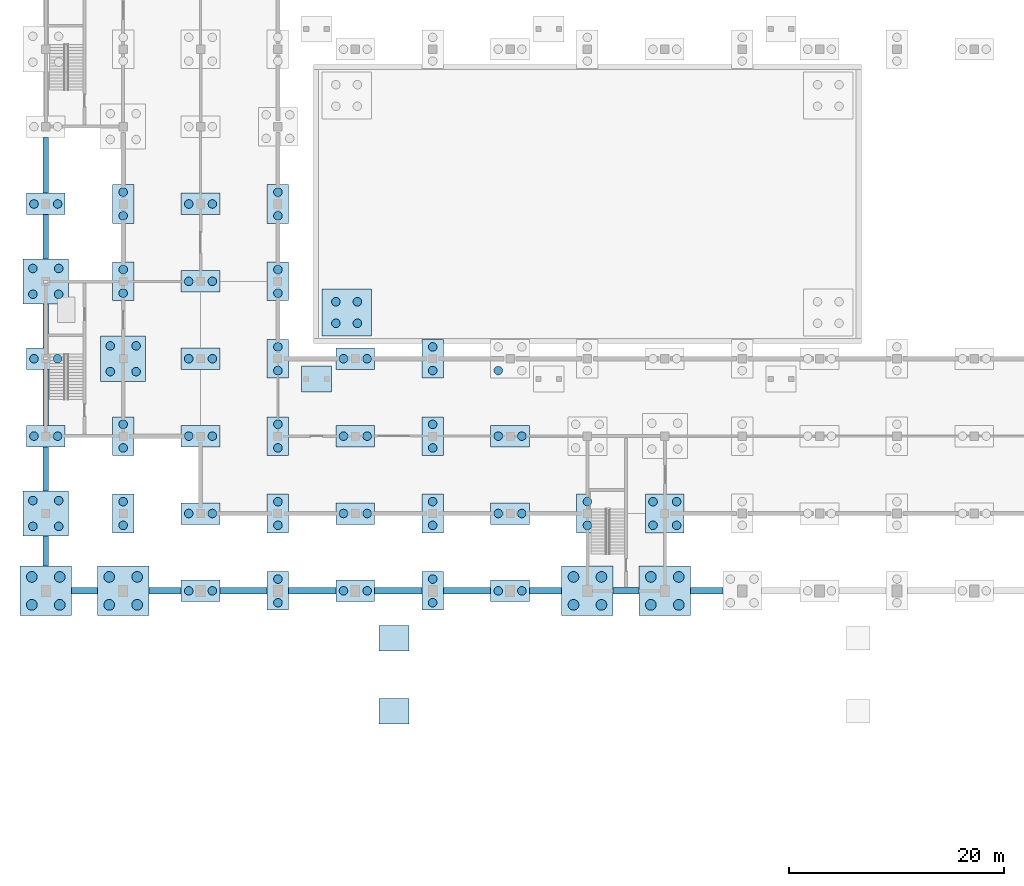
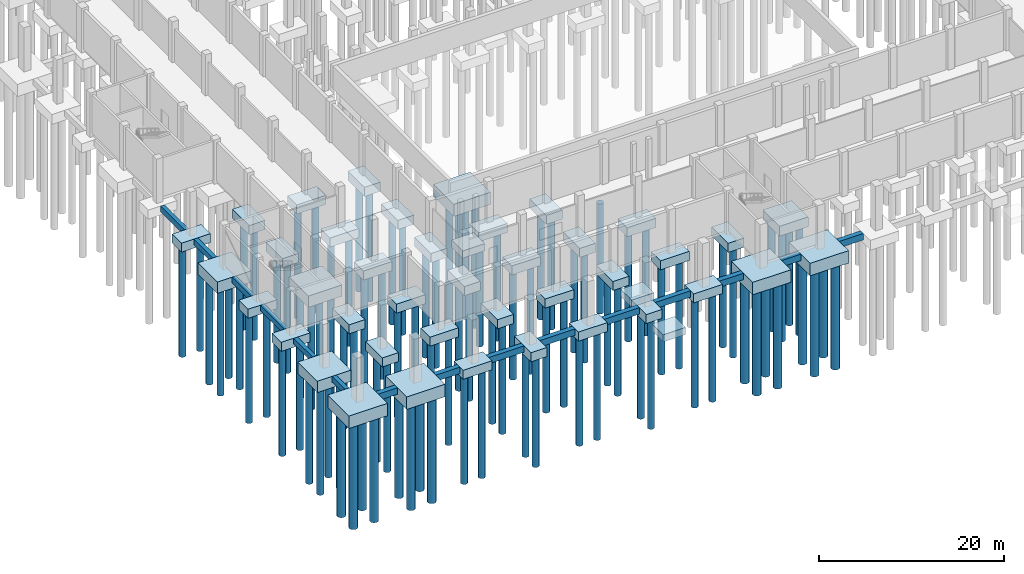
# One storey, part 1 of 35: 99 piles, 58 footings.
"""IFC4 building model written with IfcOpenShell, lengths in metres."""

from ifc_helpers import new_model, si_unit, direction, frame, origin, origin_2d, place, context, subcontext, project, spatial, polyline, rectangle, circle, outline, extrude, material, material_profile, profile_set, type_object, element, save


model = new_model("IFC4")

# Units and contexts
model_context = context("Model", 3, precision=1e-05, world=origin(), true_north=direction((0.0, 1.0)))
body_context = subcontext(model_context, "Body", "Model", "MODEL_VIEW")
ifc_project = project(units=[si_unit("LENGTHUNIT", "METRE"), si_unit("AREAUNIT", "SQUARE_METRE"), si_unit("VOLUMEUNIT", "CUBIC_METRE"), si_unit("PLANEANGLEUNIT", "RADIAN"), si_unit("MASSUNIT", "GRAM", prefix="KILO")], contexts=[model_context])

# Site, building, storey
site_placement = place(None, origin())
site = spatial("IfcSite", under=ifc_project, at=site_placement, CompositionType="ELEMENT")
building_placement = place(site_placement, origin())
building = spatial("IfcBuilding", under=site, at=building_placement, Name="Vesperath Aquatics Centre", CompositionType="ELEMENT")
storey_placement = place(building_placement, frame((0.0, 0.0, -5.39990234375)))
storey = spatial("IfcBuildingStorey", under=building, at=storey_placement, Name="B1", CompositionType="ELEMENT", Elevation=-5.39990234375)

# Footings
ifc_material_1 = material(Name="Concrete C40", Category="concrete")
footing_type_1 = type_object("IfcFootingType", Name="FT-GB02", PredefinedType="FOOTING_BEAM", material=ifc_material_1)
footing_1_placement = place(storey_placement, frame((0.0, 0.0, -1.2001953125)))
element("IfcFooting", 1, at=footing_1_placement, inside=storey, type_object=footing_type_1, Name="Foundation Ground Beam GB02 1 C-D", PredefinedType="FOOTING_BEAM", context=body_context, shape_type="SweptSolid", body=[
    extrude(outline(polyline([(-0.25, 16.699951171875), (0.25, 16.699951171875), (0.25, 19.5), (-0.25, 19.5), (-0.25, 16.699951171875)])), origin(), (0.0, 0.0, 1.0), 0.75),
])
footing_2_placement = place(storey_placement, frame((0.0, 0.0, -1.2001953125)))
element("IfcFooting", 2, at=footing_2_placement, inside=storey, type_object=footing_type_1, Name="Foundation Ground Beam GB02 1 D-E", PredefinedType="FOOTING_BEAM", context=body_context, shape_type="SweptSolid", body=[
    extrude(outline(polyline([(-0.25, 23.699951171875), (0.25, 23.699951171875), (0.25, 27.800048828125), (-0.25, 27.800048828125), (-0.25, 23.699951171875)])), origin(), (0.0, 0.0, 1.0), 0.75),
])
footing_3_placement = place(storey_placement, frame((0.0, 0.0, -1.2001953125)))
element("IfcFooting", 3, at=footing_3_placement, inside=storey, type_object=footing_type_1, Name="Foundation Ground Beam GB02 1 E-F", PredefinedType="FOOTING_BEAM", context=body_context, shape_type="SweptSolid", body=[
    extrude(outline(polyline([(-0.25, 29.800048828125), (0.25, 29.800048828125), (0.25, 35.0), (-0.25, 35.0), (-0.25, 29.800048828125)])), origin(), (0.0, 0.0, 1.0), 0.75),
])
footing_4_placement = place(storey_placement, frame((0.0, 0.0, -1.2001953125)))
element("IfcFooting", 4, at=footing_4_placement, inside=storey, type_object=footing_type_1, Name="Foundation Ground Beam GB02 1 F-G", PredefinedType="FOOTING_BEAM", context=body_context, shape_type="SweptSolid", body=[
    extrude(outline(polyline([(-0.25, 37.0), (0.25, 37.0), (0.25, 41.10009765625), (-0.25, 41.10009765625), (-0.25, 37.0)])), origin(), (0.0, 0.0, 1.0), 0.75),
])
footing_5_placement = place(storey_placement, frame((0.0, 0.0, -1.2001953125)))
element("IfcFooting", 5, at=footing_5_placement, inside=storey, type_object=footing_type_1, Name="Foundation Ground Beam GB02 1 G-H", PredefinedType="FOOTING_BEAM", context=body_context, shape_type="SweptSolid", body=[
    extrude(outline(polyline([(-0.25, 45.300048828125), (0.25, 45.300048828125), (0.25, 49.39990234375), (-0.25, 49.39990234375), (-0.25, 45.300048828125)])), origin(), (0.0, 0.0, 1.0), 0.75),
])
footing_6_placement = place(storey_placement, frame((0.0, 0.0, -1.2001953125)))
element("IfcFooting", 6, at=footing_6_placement, inside=storey, type_object=footing_type_1, Name="Foundation Ground Beam GB02 1 H-J", PredefinedType="FOOTING_BEAM", context=body_context, shape_type="SweptSolid", body=[
    extrude(outline(polyline([(-0.25, 51.39990234375), (0.25, 51.39990234375), (0.25, 56.60009765625), (-0.25, 56.60009765625), (-0.25, 51.39990234375)])), origin(), (0.0, 0.0, 1.0), 0.75),
])
footing_type_2 = type_object("IfcFootingType", Name="FT-GB03", PredefinedType="FOOTING_BEAM", material=ifc_material_1)
footing_7_placement = place(storey_placement, frame((0.0, 0.0, -1.300048828125)))
element("IfcFooting", 7, at=footing_7_placement, inside=storey, type_object=footing_type_2, Name="Foundation Ground Beam GB03 C 1-2", PredefinedType="FOOTING_BEAM", context=body_context, shape_type="SweptSolid", body=[
    extrude(outline(polyline([(2.39990234375, 14.10009765625), (4.800048828125, 14.10009765625), (4.800048828125, 14.699951171875), (2.39990234375, 14.699951171875), (2.39990234375, 14.10009765625)])), origin(), (0.0, 0.0, 1.0), 0.849853515625),
])
footing_8_placement = place(storey_placement, frame((0.0, 0.0, -1.300048828125)))
element("IfcFooting", 8, at=footing_8_placement, inside=storey, type_object=footing_type_2, Name="Foundation Ground Beam GB03 C 2-3", PredefinedType="FOOTING_BEAM", context=body_context, shape_type="SweptSolid", body=[
    extrude(outline(polyline([(9.60009765625, 14.10009765625), (12.60009765625, 14.10009765625), (12.60009765625, 14.699951171875), (9.60009765625, 14.699951171875), (9.60009765625, 14.10009765625)])), origin(), (0.0, 0.0, 1.0), 0.849853515625),
])
footing_9_placement = place(storey_placement, frame((0.0, 0.0, -1.300048828125)))
element("IfcFooting", 9, at=footing_9_placement, inside=storey, type_object=footing_type_2, Name="Foundation Ground Beam GB03 C 3-4", PredefinedType="FOOTING_BEAM", context=body_context, shape_type="SweptSolid", body=[
    extrude(outline(polyline([(16.199951171875, 14.10009765625), (20.60009765625, 14.10009765625), (20.60009765625, 14.699951171875), (16.199951171875, 14.699951171875), (16.199951171875, 14.10009765625)])), origin(), (0.0, 0.0, 1.0), 0.849853515625),
])
footing_10_placement = place(storey_placement, frame((0.0, 0.0, -1.300048828125)))
element("IfcFooting", 10, at=footing_10_placement, inside=storey, type_object=footing_type_2, Name="Foundation Ground Beam GB03 C 4-5", PredefinedType="FOOTING_BEAM", context=body_context, shape_type="SweptSolid", body=[
    extrude(outline(polyline([(22.60009765625, 14.10009765625), (27.0, 14.10009765625), (27.0, 14.699951171875), (22.60009765625, 14.699951171875), (22.60009765625, 14.10009765625)])), origin(), (0.0, 0.0, 1.0), 0.849853515625),
])
footing_11_placement = place(storey_placement, frame((0.0, 0.0, -1.300048828125)))
element("IfcFooting", 11, at=footing_11_placement, inside=storey, type_object=footing_type_2, Name="Foundation Ground Beam GB03 C 5-6", PredefinedType="FOOTING_BEAM", context=body_context, shape_type="SweptSolid", body=[
    extrude(outline(polyline([(30.60009765625, 14.10009765625), (35.0, 14.10009765625), (35.0, 14.699951171875), (30.60009765625, 14.699951171875), (30.60009765625, 14.10009765625)])), origin(), (0.0, 0.0, 1.0), 0.849853515625),
])
footing_12_placement = place(storey_placement, frame((0.0, 0.0, -1.300048828125)))
element("IfcFooting", 12, at=footing_12_placement, inside=storey, type_object=footing_type_2, Name="Foundation Ground Beam GB03 C 6-7", PredefinedType="FOOTING_BEAM", context=body_context, shape_type="SweptSolid", body=[
    extrude(outline(polyline([(37.0, 14.10009765625), (41.39990234375, 14.10009765625), (41.39990234375, 14.699951171875), (37.0, 14.699951171875), (37.0, 14.10009765625)])), origin(), (0.0, 0.0, 1.0), 0.849853515625),
])
footing_13_placement = place(storey_placement, frame((0.0, 0.0, -1.300048828125)))
element("IfcFooting", 13, at=footing_13_placement, inside=storey, type_object=footing_type_2, Name="Foundation Ground Beam GB03 C 7-8", PredefinedType="FOOTING_BEAM", context=body_context, shape_type="SweptSolid", body=[
    extrude(outline(polyline([(45.0, 14.10009765625), (48.0, 14.10009765625), (48.0, 14.699951171875), (45.0, 14.699951171875), (45.0, 14.10009765625)])), origin(), (0.0, 0.0, 1.0), 0.849853515625),
])
footing_14_placement = place(storey_placement, frame((0.0, 0.0, -1.300048828125)))
element("IfcFooting", 14, at=footing_14_placement, inside=storey, type_object=footing_type_2, Name="Foundation Ground Beam GB03 C 8-9", PredefinedType="FOOTING_BEAM", context=body_context, shape_type="SweptSolid", body=[
    extrude(outline(polyline([(52.800048828125, 14.10009765625), (55.199951171875, 14.10009765625), (55.199951171875, 14.699951171875), (52.800048828125, 14.699951171875), (52.800048828125, 14.10009765625)])), origin(), (0.0, 0.0, 1.0), 0.849853515625),
])
footing_15_placement = place(storey_placement, frame((0.0, 0.0, -1.300048828125)))
element("IfcFooting", 15, at=footing_15_placement, inside=storey, type_object=footing_type_2, Name="Foundation Ground Beam GB03 C 9-10", PredefinedType="FOOTING_BEAM", context=body_context, shape_type="SweptSolid", body=[
    extrude(outline(polyline([(60.0, 14.10009765625), (63.0, 14.10009765625), (63.0, 14.699951171875), (60.0, 14.699951171875), (60.0, 14.10009765625)])), origin(), (0.0, 0.0, 1.0), 0.849853515625),
])
footing_type_3 = type_object("IfcFootingType", Name="FT-PC01", PredefinedType="PILE_CAP", material=ifc_material_1)
for number, where, z_axis, x_axis, name in (
    (16, (0.0, 28.800048828125, -1.64990234375), (0.0, 0.0, 1.0), (1.0, 0.0, 0.0), "Pile Cap PC01 at 1/E"),
    (17, (0.0, 36.0, -1.64990234375), (0.0, 0.0, 1.0), (1.0, 0.0, 0.0), "Pile Cap PC01 at 1/F"),
    (18, (0.0, 50.39990234375, -1.64990234375), (0.0, 0.0, 1.0), (1.0, 0.0, 0.0), "Pile Cap PC01 at 1/H"),
    (19, (14.39990234375, 14.39990234375, -1.64990234375), (0.0, 0.0, 1.0), (1.0, 0.0, 0.0), "Pile Cap PC01 at 3/C"),
    (20, (14.39990234375, 21.60009765625, -1.64990234375), (0.0, 0.0, 1.0), (1.0, 0.0, 0.0), "Pile Cap PC01 at 3/D"),
    (21, (14.39990234375, 28.800048828125, -1.64990234375), (0.0, 0.0, 1.0), (1.0, 0.0, 0.0), "Pile Cap PC01 at 3/E"),
    (22, (14.39990234375, 36.0, -1.64990234375), (0.0, 0.0, 1.0), (1.0, 0.0, 0.0), "Pile Cap PC01 at 3/F"),
    (23, (14.39990234375, 43.199951171875, -1.64990234375), (0.0, 0.0, 1.0), (1.0, 0.0, 0.0), "Pile Cap PC01 at 3/G"),
    (24, (14.39990234375, 50.39990234375, -1.64990234375), (0.0, 0.0, 1.0), (1.0, 0.0, 0.0), "Pile Cap PC01 at 3/H"),
    (25, (28.800048828125, 14.39990234375, -1.64990234375), (0.0, 0.0, 1.0), (1.0, 0.0, 0.0), "Pile Cap PC01 at 5/C"),
    (26, (28.800048828125, 21.60009765625, -1.64990234375), (0.0, 0.0, 1.0), (1.0, 0.0, 0.0), "Pile Cap PC01 at 5/D"),
    (27, (28.800048828125, 28.800048828125, -1.64990234375), (0.0, 0.0, 1.0), (1.0, 0.0, 0.0), "Pile Cap PC01 at 5/E"),
    (28, (28.800048828125, 36.0, -1.64990234375), (0.0, 0.0, 1.0), (1.0, 0.0, 0.0), "Pile Cap PC01 at 5/F"),
    (29, (43.199951171875, 14.39990234375, -1.64990234375), (0.0, 0.0, 1.0), (1.0, 0.0, 0.0), "Pile Cap PC01 at 7/C"),
    (30, (43.199951171875, 21.60009765625, -1.64990234375), (0.0, 0.0, 1.0), (1.0, 0.0, 0.0), "Pile Cap PC01 at 7/D"),
    (31, (43.199951171875, 28.800048828125, -1.64990234375), (0.0, 0.0, 1.0), (1.0, 0.0, 0.0), "Pile Cap PC01 at 7/E"),
):
    element("IfcFooting", number, at=place(storey_placement, frame(where, z_axis=z_axis, x_axis=x_axis)), inside=storey, type_object=footing_type_3, Name=name, PredefinedType="PILE_CAP", context=body_context, shape_type="SweptSolid", body=[
        extrude(rectangle(XDim=3.60009765625, YDim=2.0, at=origin_2d()), origin(), (0.0, 0.0, 1.0), 1.199951171875),
    ])
footing_type_4 = type_object("IfcFootingType", Name="FT-PC02", PredefinedType="PILE_CAP", material=ifc_material_1)
for number, where, z_axis, x_axis, name in (
    (32, (7.199951171875, 21.60009765625, -1.64990234375), (0.0, 0.0, 1.0), (1.0, 0.0, 0.0), "Pile Cap PC02 at 2/D"),
    (33, (7.199951171875, 28.800048828125, -1.64990234375), (0.0, 0.0, 1.0), (1.0, 0.0, 0.0), "Pile Cap PC02 at 2/E"),
    (34, (7.199951171875, 43.199951171875, -1.64990234375), (0.0, 0.0, 1.0), (1.0, 0.0, 0.0), "Pile Cap PC02 at 2/G"),
    (35, (7.199951171875, 50.39990234375, -1.64990234375), (0.0, 0.0, 1.0), (1.0, 0.0, 0.0), "Pile Cap PC02 at 2/H"),
    (36, (21.60009765625, 14.39990234375, -1.64990234375), (0.0, 0.0, 1.0), (1.0, 0.0, 0.0), "Pile Cap PC02 at 4/C"),
    (37, (21.60009765625, 21.60009765625, -1.64990234375), (0.0, 0.0, 1.0), (1.0, 0.0, 0.0), "Pile Cap PC02 at 4/D"),
    (38, (21.60009765625, 28.800048828125, -1.64990234375), (0.0, 0.0, 1.0), (1.0, 0.0, 0.0), "Pile Cap PC02 at 4/E"),
    (39, (21.60009765625, 36.0, -1.64990234375), (0.0, 0.0, 1.0), (1.0, 0.0, 0.0), "Pile Cap PC02 at 4/F"),
    (40, (21.60009765625, 43.199951171875, -1.64990234375), (0.0, 0.0, 1.0), (1.0, 0.0, 0.0), "Pile Cap PC02 at 4/G"),
    (41, (21.60009765625, 50.39990234375, -1.64990234375), (0.0, 0.0, 1.0), (1.0, 0.0, 0.0), "Pile Cap PC02 at 4/H"),
    (42, (36.0, 14.39990234375, -1.64990234375), (0.0, 0.0, 1.0), (1.0, 0.0, 0.0), "Pile Cap PC02 at 6/C"),
    (43, (36.0, 21.60009765625, -1.64990234375), (0.0, 0.0, 1.0), (1.0, 0.0, 0.0), "Pile Cap PC02 at 6/D"),
    (44, (36.0, 28.800048828125, -1.64990234375), (0.0, 0.0, 1.0), (1.0, 0.0, 0.0), "Pile Cap PC02 at 6/E"),
    (45, (36.0, 36.0, -1.64990234375), (0.0, 0.0, 1.0), (1.0, 0.0, 0.0), "Pile Cap PC02 at 6/F"),
    (46, (50.39990234375, 21.60009765625, -1.64990234375), (0.0, 0.0, 1.0), (1.0, 0.0, 0.0), "Pile Cap PC02 at 8/D"),
):
    element("IfcFooting", number, at=place(storey_placement, frame(where, z_axis=z_axis, x_axis=x_axis)), inside=storey, type_object=footing_type_4, Name=name, PredefinedType="PILE_CAP", context=body_context, shape_type="SweptSolid", body=[
        extrude(rectangle(XDim=2.0, YDim=3.60009765625, at=origin_2d()), origin(), (0.0, 0.0, 1.0), 1.199951171875),
    ])
footing_type_5 = type_object("IfcFootingType", Name="FT-PC03", PredefinedType="PILE_CAP", material=ifc_material_1)
footing_16_placement = place(storey_placement, frame((57.60009765625, 21.60009765625, -1.75), z_axis=(0.0, 0.0, 1.0), x_axis=(1.0, 0.0, 0.0)))
element("IfcFooting", 47, at=footing_16_placement, inside=storey, type_object=footing_type_5, Name="Pile Cap PC03 at 9/D", PredefinedType="PILE_CAP", context=body_context, shape_type="SweptSolid", body=[
    extrude(rectangle(XDim=3.60009765625, YDim=3.60009765625, at=origin_2d()), origin(), (0.0, 0.0, 1.0), 1.300048828125),
])
footing_type_6 = type_object("IfcFootingType", Name="FT-PC06", PredefinedType="PILE_CAP", material=ifc_material_1)
for number, where, z_axis, x_axis, name in (
    (48, (0.0, 21.60009765625, -1.9501953125), (0.0, 0.0, 1.0), (1.0, 0.0, 0.0), "Pile Cap PC06 at 1/D"),
    (49, (0.0, 43.199951171875, -1.9501953125), (0.0, 0.0, 1.0), (1.0, 0.0, 0.0), "Pile Cap PC06 at 1/G"),
    (50, (7.199951171875, 36.0, -1.9501953125), (0.0, 0.0, 1.0), (1.0, 0.0, 0.0), "Pile Cap PC06 at 2/F"),
):
    element("IfcFooting", number, at=place(storey_placement, frame(where, z_axis=z_axis, x_axis=x_axis)), inside=storey, type_object=footing_type_6, Name=name, PredefinedType="PILE_CAP", context=body_context, shape_type="SweptSolid", body=[
        extrude(rectangle(XDim=4.199951171875, YDim=4.199951171875, at=origin_2d()), origin(), (0.0, 0.0, 1.0), 1.5),
    ])
footing_type_7 = type_object("IfcFootingType", Name="FT-PC08", PredefinedType="PILE_CAP", material=ifc_material_1)
footing_17_placement = place(storey_placement, frame((27.989990234375, 40.300048828125, 0.2998046875), z_axis=(0.0, 0.0, 1.0), x_axis=(1.0, 0.0, 0.0)))
element("IfcFooting", 51, at=footing_17_placement, inside=storey, type_object=footing_type_7, Name="Competition Swimming Pool Sub-Basin Pile Cap PC08-1", PredefinedType="PILE_CAP", context=body_context, shape_type="SweptSolid", body=[
    extrude(rectangle(XDim=4.60009765625, YDim=4.39990234375, at=origin_2d()), origin(), (0.0, 0.0, 1.0), 1.60009765625),
])
footing_type_8 = type_object("IfcFootingType", Name="FT-PC11", PredefinedType="PILE_CAP", material=ifc_material_1)
for number, where, z_axis, x_axis, name in (
    (52, (0.0, 14.39990234375, -2.10009765625), (0.0, 0.0, 1.0), (1.0, 0.0, 0.0), "Pile Cap PC11 at 1/C"),
    (53, (7.199951171875, 14.39990234375, -2.10009765625), (0.0, 0.0, 1.0), (1.0, 0.0, 0.0), "Pile Cap PC11 at 2/C"),
    (54, (50.39990234375, 14.39990234375, -2.10009765625), (0.0, 0.0, 1.0), (1.0, 0.0, 0.0), "Pile Cap PC11 at 8/C"),
    (55, (57.60009765625, 14.39990234375, -2.10009765625), (0.0, 0.0, 1.0), (1.0, 0.0, 0.0), "Pile Cap PC11 at 9/C"),
):
    element("IfcFooting", number, at=place(storey_placement, frame(where, z_axis=z_axis, x_axis=x_axis)), inside=storey, type_object=footing_type_8, Name=name, PredefinedType="PILE_CAP", context=body_context, shape_type="SweptSolid", body=[
        extrude(rectangle(XDim=4.800048828125, YDim=4.60009765625, at=origin_2d()), origin(), (0.0, 0.0, 1.0), 1.64990234375),
    ])
footing_type_9 = type_object("IfcFootingType", Name="FT-PF03", PredefinedType="PAD_FOOTING", material=ifc_material_1)
for number, where, z_axis, x_axis, name in (
    (56, (32.39990234375, 3.199951171875, 3.759765625), (0.0, 0.0, 1.0), (1.0, 0.0, 0.0), "Forecourt Ramp Pad Footing PF03 PAD_RMP_3A"),
    (57, (32.39990234375, 10.0, 4.2099609375), (0.0, 0.0, 1.0), (1.0, 0.0, 0.0), "Forecourt Ramp Pad Footing PF03 PAD_RMP_3B"),
    (58, (25.199951171875, 34.1201171875, -1.39990234375), (0.0, 0.0, 1.0), (1.0, 0.0, 0.0), "Vomitory VOM-01 Portal Pad Footing PF03"),
):
    element("IfcFooting", number, at=place(storey_placement, frame(where, z_axis=z_axis, x_axis=x_axis)), inside=storey, type_object=footing_type_9, Name=name, PredefinedType="PAD_FOOTING", context=body_context, shape_type="SweptSolid", body=[
        extrude(rectangle(XDim=2.800048828125, YDim=2.39990234375, at=origin_2d()), origin(), (0.0, 0.0, 1.0), 0.949951171875),
    ])

# Piles
ifc_material_2 = material(Name="Concrete C35", Category="concrete")
ifc_material_profile_1 = material_profile(ifc_material_2, circle(Radius=0.39990234375, at=origin_2d()), Name="PILE D800")
ifc_profile_set_1 = profile_set([ifc_material_profile_1], Name="Concrete C35")
pile_type_1 = type_object("IfcPileType", Name="PL-BP01", PredefinedType="BORED", material=ifc_profile_set_1)
for number, where, z_axis, x_axis, name in (
    (59, (-1.199951171875, 20.39990234375, -1.800048828125), (0.0, 0.0, -1.0), (1.0, 0.0, 0.0), "Bored Pile BP01 CAP_00_03-1"),
    (60, (1.199951171875, 20.39990234375, -1.800048828125), (0.0, 0.0, -1.0), (1.0, 0.0, 0.0), "Bored Pile BP01 CAP_00_03-2"),
    (61, (-1.199951171875, 22.800048828125, -1.800048828125), (0.0, 0.0, -1.0), (1.0, 0.0, 0.0), "Bored Pile BP01 CAP_00_03-3"),
    (62, (1.199951171875, 22.800048828125, -1.800048828125), (0.0, 0.0, -1.0), (1.0, 0.0, 0.0), "Bored Pile BP01 CAP_00_03-4"),
):
    element("IfcPile", number, at=place(storey_placement, frame(where, z_axis=z_axis, x_axis=x_axis)), inside=storey, type_object=pile_type_1, Name=name, PredefinedType="BORED", context=body_context, shape_type="SweptSolid", body=[
        extrude(circle(Radius=0.39990234375, at=origin_2d()), origin(), (0.0, 0.0, 1.0), 14.300048828125),
    ])
for number, where, z_axis, x_axis, name in (
    (63, (-1.10009765625, 28.800048828125, -1.5), (0.0, 0.0, -1.0), (1.0, 0.0, 0.0), "Bored Pile BP01 CAP_00_04-1"),
    (64, (1.10009765625, 28.800048828125, -1.5), (0.0, 0.0, -1.0), (1.0, 0.0, 0.0), "Bored Pile BP01 CAP_00_04-2"),
    (65, (-1.10009765625, 36.0, -1.5), (0.0, 0.0, -1.0), (1.0, 0.0, 0.0), "Bored Pile BP01 CAP_00_05-1"),
    (66, (1.10009765625, 36.0, -1.5), (0.0, 0.0, -1.0), (1.0, 0.0, 0.0), "Bored Pile BP01 CAP_00_05-2"),
):
    element("IfcPile", number, at=place(storey_placement, frame(where, z_axis=z_axis, x_axis=x_axis)), inside=storey, type_object=pile_type_1, Name=name, PredefinedType="BORED", context=body_context, shape_type="SweptSolid", body=[
        extrude(circle(Radius=0.39990234375, at=origin_2d()), origin(), (0.0, 0.0, 1.0), 14.60009765625),
    ])
for number, where, z_axis, x_axis, name in (
    (67, (-1.199951171875, 42.0, -1.800048828125), (0.0, 0.0, -1.0), (1.0, 0.0, 0.0), "Bored Pile BP01 CAP_00_06-1"),
    (68, (1.199951171875, 42.0, -1.800048828125), (0.0, 0.0, -1.0), (1.0, 0.0, 0.0), "Bored Pile BP01 CAP_00_06-2"),
    (69, (-1.199951171875, 44.39990234375, -1.800048828125), (0.0, 0.0, -1.0), (1.0, 0.0, 0.0), "Bored Pile BP01 CAP_00_06-3"),
    (70, (1.199951171875, 44.39990234375, -1.800048828125), (0.0, 0.0, -1.0), (1.0, 0.0, 0.0), "Bored Pile BP01 CAP_00_06-4"),
):
    element("IfcPile", number, at=place(storey_placement, frame(where, z_axis=z_axis, x_axis=x_axis)), inside=storey, type_object=pile_type_1, Name=name, PredefinedType="BORED", context=body_context, shape_type="SweptSolid", body=[
        extrude(circle(Radius=0.39990234375, at=origin_2d()), origin(), (0.0, 0.0, 1.0), 14.300048828125),
    ])
for number, where, z_axis, x_axis, name in (
    (71, (-1.10009765625, 50.39990234375, -1.5), (0.0, 0.0, -1.0), (1.0, 0.0, 0.0), "Bored Pile BP01 CAP_00_07-1"),
    (72, (1.10009765625, 50.39990234375, -1.5), (0.0, 0.0, -1.0), (1.0, 0.0, 0.0), "Bored Pile BP01 CAP_00_07-2"),
    (73, (7.199951171875, 20.5, -1.5), (0.0, 0.0, -1.0), (1.0, 0.0, 0.0), "Bored Pile BP01 CAP_01_03-1"),
    (74, (7.199951171875, 22.699951171875, -1.5), (0.0, 0.0, -1.0), (1.0, 0.0, 0.0), "Bored Pile BP01 CAP_01_03-2"),
    (75, (7.199951171875, 27.699951171875, -1.5), (0.0, 0.0, -1.0), (1.0, 0.0, 0.0), "Bored Pile BP01 CAP_01_04-1"),
    (76, (7.199951171875, 29.89990234375, -1.5), (0.0, 0.0, -1.0), (1.0, 0.0, 0.0), "Bored Pile BP01 CAP_01_04-2"),
):
    element("IfcPile", number, at=place(storey_placement, frame(where, z_axis=z_axis, x_axis=x_axis)), inside=storey, type_object=pile_type_1, Name=name, PredefinedType="BORED", context=body_context, shape_type="SweptSolid", body=[
        extrude(circle(Radius=0.39990234375, at=origin_2d()), origin(), (0.0, 0.0, 1.0), 14.60009765625),
    ])
for number, where, z_axis, x_axis, name in (
    (77, (6.0, 34.800048828125, -1.800048828125), (0.0, 0.0, -1.0), (1.0, 0.0, 0.0), "Bored Pile BP01 CAP_01_05-1"),
    (78, (8.39990234375, 34.800048828125, -1.800048828125), (0.0, 0.0, -1.0), (1.0, 0.0, 0.0), "Bored Pile BP01 CAP_01_05-2"),
    (79, (6.0, 37.199951171875, -1.800048828125), (0.0, 0.0, -1.0), (1.0, 0.0, 0.0), "Bored Pile BP01 CAP_01_05-3"),
    (80, (8.39990234375, 37.199951171875, -1.800048828125), (0.0, 0.0, -1.0), (1.0, 0.0, 0.0), "Bored Pile BP01 CAP_01_05-4"),
):
    element("IfcPile", number, at=place(storey_placement, frame(where, z_axis=z_axis, x_axis=x_axis)), inside=storey, type_object=pile_type_1, Name=name, PredefinedType="BORED", context=body_context, shape_type="SweptSolid", body=[
        extrude(circle(Radius=0.39990234375, at=origin_2d()), origin(), (0.0, 0.0, 1.0), 14.300048828125),
    ])
for number, where, z_axis, x_axis, name in (
    (81, (7.199951171875, 42.10009765625, -1.5), (0.0, 0.0, -1.0), (1.0, 0.0, 0.0), "Bored Pile BP01 CAP_01_06-1"),
    (82, (7.199951171875, 44.300048828125, -1.5), (0.0, 0.0, -1.0), (1.0, 0.0, 0.0), "Bored Pile BP01 CAP_01_06-2"),
    (83, (7.199951171875, 49.300048828125, -1.5), (0.0, 0.0, -1.0), (1.0, 0.0, 0.0), "Bored Pile BP01 CAP_01_07-1"),
    (84, (7.199951171875, 51.5, -1.5), (0.0, 0.0, -1.0), (1.0, 0.0, 0.0), "Bored Pile BP01 CAP_01_07-2"),
    (85, (13.300048828125, 14.39990234375, -1.5), (0.0, 0.0, -1.0), (1.0, 0.0, 0.0), "Bored Pile BP01 CAP_02_02-1"),
    (86, (15.5, 14.39990234375, -1.5), (0.0, 0.0, -1.0), (1.0, 0.0, 0.0), "Bored Pile BP01 CAP_02_02-2"),
    (87, (13.300048828125, 21.60009765625, -1.5), (0.0, 0.0, -1.0), (1.0, 0.0, 0.0), "Bored Pile BP01 CAP_02_03-1"),
    (88, (15.5, 21.60009765625, -1.5), (0.0, 0.0, -1.0), (1.0, 0.0, 0.0), "Bored Pile BP01 CAP_02_03-2"),
    (89, (13.300048828125, 28.800048828125, -1.5), (0.0, 0.0, -1.0), (1.0, 0.0, 0.0), "Bored Pile BP01 CAP_02_04-1"),
    (90, (15.5, 28.800048828125, -1.5), (0.0, 0.0, -1.0), (1.0, 0.0, 0.0), "Bored Pile BP01 CAP_02_04-2"),
    (91, (13.300048828125, 36.0, -1.5), (0.0, 0.0, -1.0), (1.0, 0.0, 0.0), "Bored Pile BP01 CAP_02_05-1"),
    (92, (15.5, 36.0, -1.5), (0.0, 0.0, -1.0), (1.0, 0.0, 0.0), "Bored Pile BP01 CAP_02_05-2"),
    (93, (13.300048828125, 43.199951171875, -1.5), (0.0, 0.0, -1.0), (1.0, 0.0, 0.0), "Bored Pile BP01 CAP_02_06-1"),
    (94, (15.5, 43.199951171875, -1.5), (0.0, 0.0, -1.0), (1.0, 0.0, 0.0), "Bored Pile BP01 CAP_02_06-2"),
    (95, (13.300048828125, 50.39990234375, -1.5), (0.0, 0.0, -1.0), (1.0, 0.0, 0.0), "Bored Pile BP01 CAP_02_07-1"),
    (96, (15.5, 50.39990234375, -1.5), (0.0, 0.0, -1.0), (1.0, 0.0, 0.0), "Bored Pile BP01 CAP_02_07-2"),
    (97, (21.60009765625, 13.300048828125, -1.5), (0.0, 0.0, -1.0), (1.0, 0.0, 0.0), "Bored Pile BP01 CAP_03_02-1"),
    (98, (21.60009765625, 15.5, -1.5), (0.0, 0.0, -1.0), (1.0, 0.0, 0.0), "Bored Pile BP01 CAP_03_02-2"),
    (99, (21.60009765625, 20.5, -1.5), (0.0, 0.0, -1.0), (1.0, 0.0, 0.0), "Bored Pile BP01 CAP_03_03-1"),
    (100, (21.60009765625, 22.699951171875, -1.5), (0.0, 0.0, -1.0), (1.0, 0.0, 0.0), "Bored Pile BP01 CAP_03_03-2"),
    (101, (21.60009765625, 27.699951171875, -1.5), (0.0, 0.0, -1.0), (1.0, 0.0, 0.0), "Bored Pile BP01 CAP_03_04-1"),
    (102, (21.60009765625, 29.89990234375, -1.5), (0.0, 0.0, -1.0), (1.0, 0.0, 0.0), "Bored Pile BP01 CAP_03_04-2"),
    (103, (21.60009765625, 34.89990234375, -1.5), (0.0, 0.0, -1.0), (1.0, 0.0, 0.0), "Bored Pile BP01 CAP_03_05-1"),
    (104, (21.60009765625, 37.10009765625, -1.5), (0.0, 0.0, -1.0), (1.0, 0.0, 0.0), "Bored Pile BP01 CAP_03_05-2"),
    (105, (21.60009765625, 42.10009765625, -1.5), (0.0, 0.0, -1.0), (1.0, 0.0, 0.0), "Bored Pile BP01 CAP_03_06-1"),
    (106, (21.60009765625, 44.300048828125, -1.5), (0.0, 0.0, -1.0), (1.0, 0.0, 0.0), "Bored Pile BP01 CAP_03_06-2"),
    (107, (21.60009765625, 49.300048828125, -1.5), (0.0, 0.0, -1.0), (1.0, 0.0, 0.0), "Bored Pile BP01 CAP_03_07-1"),
    (108, (21.60009765625, 51.5, -1.5), (0.0, 0.0, -1.0), (1.0, 0.0, 0.0), "Bored Pile BP01 CAP_03_07-2"),
    (109, (27.699951171875, 14.39990234375, -1.5), (0.0, 0.0, -1.0), (1.0, 0.0, 0.0), "Bored Pile BP01 CAP_04_02-1"),
    (110, (29.89990234375, 14.39990234375, -1.5), (0.0, 0.0, -1.0), (1.0, 0.0, 0.0), "Bored Pile BP01 CAP_04_02-2"),
    (111, (27.699951171875, 21.60009765625, -1.5), (0.0, 0.0, -1.0), (1.0, 0.0, 0.0), "Bored Pile BP01 CAP_04_03-1"),
    (112, (29.89990234375, 21.60009765625, -1.5), (0.0, 0.0, -1.0), (1.0, 0.0, 0.0), "Bored Pile BP01 CAP_04_03-2"),
    (113, (27.699951171875, 28.800048828125, -1.5), (0.0, 0.0, -1.0), (1.0, 0.0, 0.0), "Bored Pile BP01 CAP_04_04-1"),
    (114, (29.89990234375, 28.800048828125, -1.5), (0.0, 0.0, -1.0), (1.0, 0.0, 0.0), "Bored Pile BP01 CAP_04_04-2"),
    (115, (27.699951171875, 36.0, -1.5), (0.0, 0.0, -1.0), (1.0, 0.0, 0.0), "Bored Pile BP01 CAP_04_05-1"),
    (116, (29.89990234375, 36.0, -1.5), (0.0, 0.0, -1.0), (1.0, 0.0, 0.0), "Bored Pile BP01 CAP_04_05-2"),
    (117, (36.0, 13.300048828125, -1.5), (0.0, 0.0, -1.0), (1.0, 0.0, 0.0), "Bored Pile BP01 CAP_05_02-1"),
    (118, (36.0, 15.5, -1.5), (0.0, 0.0, -1.0), (1.0, 0.0, 0.0), "Bored Pile BP01 CAP_05_02-2"),
    (119, (36.0, 20.5, -1.5), (0.0, 0.0, -1.0), (1.0, 0.0, 0.0), "Bored Pile BP01 CAP_05_03-1"),
    (120, (36.0, 22.699951171875, -1.5), (0.0, 0.0, -1.0), (1.0, 0.0, 0.0), "Bored Pile BP01 CAP_05_03-2"),
    (121, (36.0, 27.699951171875, -1.5), (0.0, 0.0, -1.0), (1.0, 0.0, 0.0), "Bored Pile BP01 CAP_05_04-1"),
    (122, (36.0, 29.89990234375, -1.5), (0.0, 0.0, -1.0), (1.0, 0.0, 0.0), "Bored Pile BP01 CAP_05_04-2"),
    (123, (36.0, 34.89990234375, -1.5), (0.0, 0.0, -1.0), (1.0, 0.0, 0.0), "Bored Pile BP01 CAP_05_05-1"),
    (124, (36.0, 37.10009765625, -1.5), (0.0, 0.0, -1.0), (1.0, 0.0, 0.0), "Bored Pile BP01 CAP_05_05-2"),
    (125, (42.10009765625, 14.39990234375, -1.5), (0.0, 0.0, -1.0), (1.0, 0.0, 0.0), "Bored Pile BP01 CAP_06_02-1"),
    (126, (44.300048828125, 14.39990234375, -1.5), (0.0, 0.0, -1.0), (1.0, 0.0, 0.0), "Bored Pile BP01 CAP_06_02-2"),
    (127, (42.10009765625, 21.60009765625, -1.5), (0.0, 0.0, -1.0), (1.0, 0.0, 0.0), "Bored Pile BP01 CAP_06_03-1"),
    (128, (44.300048828125, 21.60009765625, -1.5), (0.0, 0.0, -1.0), (1.0, 0.0, 0.0), "Bored Pile BP01 CAP_06_03-2"),
    (129, (42.10009765625, 28.800048828125, -1.5), (0.0, 0.0, -1.0), (1.0, 0.0, 0.0), "Bored Pile BP01 CAP_06_04-1"),
    (130, (44.300048828125, 28.800048828125, -1.5), (0.0, 0.0, -1.0), (1.0, 0.0, 0.0), "Bored Pile BP01 CAP_06_04-2"),
):
    element("IfcPile", number, at=place(storey_placement, frame(where, z_axis=z_axis, x_axis=x_axis)), inside=storey, type_object=pile_type_1, Name=name, PredefinedType="BORED", context=body_context, shape_type="SweptSolid", body=[
        extrude(circle(Radius=0.39990234375, at=origin_2d()), origin(), (0.0, 0.0, 1.0), 14.60009765625),
    ])
pile_placement = place(storey_placement, frame((42.10009765625, 34.89990234375, -1.60009765625), z_axis=(0.0, 0.0, -1.0), x_axis=(1.0, 0.0, 0.0)))
element("IfcPile", 131, at=pile_placement, inside=storey, type_object=pile_type_1, Name="Bored Pile BP01 CAP_06_05-1", PredefinedType="BORED", context=body_context, shape_type="SweptSolid", body=[
    extrude(circle(Radius=0.39990234375, at=origin_2d()), origin(), (0.0, 0.0, 1.0), 14.5),
])
for number, where, z_axis, x_axis, name in (
    (132, (50.39990234375, 20.5, -1.5), (0.0, 0.0, -1.0), (1.0, 0.0, 0.0), "Bored Pile BP01 CAP_07_03-1"),
    (133, (50.39990234375, 22.699951171875, -1.5), (0.0, 0.0, -1.0), (1.0, 0.0, 0.0), "Bored Pile BP01 CAP_07_03-2"),
):
    element("IfcPile", number, at=place(storey_placement, frame(where, z_axis=z_axis, x_axis=x_axis)), inside=storey, type_object=pile_type_1, Name=name, PredefinedType="BORED", context=body_context, shape_type="SweptSolid", body=[
        extrude(circle(Radius=0.39990234375, at=origin_2d()), origin(), (0.0, 0.0, 1.0), 14.60009765625),
    ])
for number, where, z_axis, x_axis, name in (
    (134, (56.5, 20.5, -1.60009765625), (0.0, 0.0, -1.0), (1.0, 0.0, 0.0), "Bored Pile BP01 CAP_08_03-1"),
    (135, (58.699951171875, 20.5, -1.60009765625), (0.0, 0.0, -1.0), (1.0, 0.0, 0.0), "Bored Pile BP01 CAP_08_03-2"),
    (136, (56.5, 22.699951171875, -1.60009765625), (0.0, 0.0, -1.0), (1.0, 0.0, 0.0), "Bored Pile BP01 CAP_08_03-3"),
    (137, (58.699951171875, 22.699951171875, -1.60009765625), (0.0, 0.0, -1.0), (1.0, 0.0, 0.0), "Bored Pile BP01 CAP_08_03-4"),
):
    element("IfcPile", number, at=place(storey_placement, frame(where, z_axis=z_axis, x_axis=x_axis)), inside=storey, type_object=pile_type_1, Name=name, PredefinedType="BORED", context=body_context, shape_type="SweptSolid", body=[
        extrude(circle(Radius=0.39990234375, at=origin_2d()), origin(), (0.0, 0.0, 1.0), 14.5),
    ])
for number, where, z_axis, x_axis, name in (
    (138, (26.989990234375, 39.300048828125, 0.449951171875), (0.0, 0.0, -1.0), (1.0, 0.0, 0.0), "Bored Pile BP01 CAP_POOL_COMP_01-1"),
    (139, (28.989990234375, 39.300048828125, 0.449951171875), (0.0, 0.0, -1.0), (1.0, 0.0, 0.0), "Bored Pile BP01 CAP_POOL_COMP_01-2"),
    (140, (26.989990234375, 41.300048828125, 0.449951171875), (0.0, 0.0, -1.0), (1.0, 0.0, 0.0), "Bored Pile BP01 CAP_POOL_COMP_01-3"),
    (141, (28.989990234375, 41.300048828125, 0.449951171875), (0.0, 0.0, -1.0), (1.0, 0.0, 0.0), "Bored Pile BP01 CAP_POOL_COMP_01-4"),
):
    element("IfcPile", number, at=place(storey_placement, frame(where, z_axis=z_axis, x_axis=x_axis)), inside=storey, type_object=pile_type_1, Name=name, PredefinedType="BORED", context=body_context, shape_type="SweptSolid", body=[
        extrude(circle(Radius=0.39990234375, at=origin_2d()), origin(), (0.0, 0.0, 1.0), 16.550048828125),
    ])
ifc_material_profile_2 = material_profile(ifc_material_2, circle(Radius=0.5, at=origin_2d()), Name="PILE D1000")
ifc_profile_set_2 = profile_set([ifc_material_profile_2], Name="Concrete C35")
pile_type_2 = type_object("IfcPileType", Name="PL-BP02", PredefinedType="BORED", material=ifc_profile_set_2)
for number, where, z_axis, x_axis, name in (
    (142, (-1.300048828125, 13.10009765625, -1.9501953125), (0.0, 0.0, -1.0), (1.0, 0.0, 0.0), "Bored Pile BP02 CAP_00_02-1"),
    (143, (1.300048828125, 13.10009765625, -1.9501953125), (0.0, 0.0, -1.0), (1.0, 0.0, 0.0), "Bored Pile BP02 CAP_00_02-2"),
    (144, (-1.300048828125, 15.699951171875, -1.9501953125), (0.0, 0.0, -1.0), (1.0, 0.0, 0.0), "Bored Pile BP02 CAP_00_02-3"),
    (145, (1.300048828125, 15.699951171875, -1.9501953125), (0.0, 0.0, -1.0), (1.0, 0.0, 0.0), "Bored Pile BP02 CAP_00_02-4"),
    (146, (5.89990234375, 13.10009765625, -1.9501953125), (0.0, 0.0, -1.0), (1.0, 0.0, 0.0), "Bored Pile BP02 CAP_01_02-1"),
    (147, (8.5, 13.10009765625, -1.9501953125), (0.0, 0.0, -1.0), (1.0, 0.0, 0.0), "Bored Pile BP02 CAP_01_02-2"),
    (148, (5.89990234375, 15.699951171875, -1.9501953125), (0.0, 0.0, -1.0), (1.0, 0.0, 0.0), "Bored Pile BP02 CAP_01_02-3"),
    (149, (8.5, 15.699951171875, -1.9501953125), (0.0, 0.0, -1.0), (1.0, 0.0, 0.0), "Bored Pile BP02 CAP_01_02-4"),
    (150, (49.10009765625, 13.10009765625, -1.9501953125), (0.0, 0.0, -1.0), (1.0, 0.0, 0.0), "Bored Pile BP02 CAP_07_02-1"),
    (151, (51.699951171875, 13.10009765625, -1.9501953125), (0.0, 0.0, -1.0), (1.0, 0.0, 0.0), "Bored Pile BP02 CAP_07_02-2"),
    (152, (49.10009765625, 15.699951171875, -1.9501953125), (0.0, 0.0, -1.0), (1.0, 0.0, 0.0), "Bored Pile BP02 CAP_07_02-3"),
    (153, (51.699951171875, 15.699951171875, -1.9501953125), (0.0, 0.0, -1.0), (1.0, 0.0, 0.0), "Bored Pile BP02 CAP_07_02-4"),
    (154, (56.300048828125, 13.10009765625, -1.9501953125), (0.0, 0.0, -1.0), (1.0, 0.0, 0.0), "Bored Pile BP02 CAP_08_02-1"),
    (155, (58.89990234375, 13.10009765625, -1.9501953125), (0.0, 0.0, -1.0), (1.0, 0.0, 0.0), "Bored Pile BP02 CAP_08_02-2"),
    (156, (56.300048828125, 15.699951171875, -1.9501953125), (0.0, 0.0, -1.0), (1.0, 0.0, 0.0), "Bored Pile BP02 CAP_08_02-3"),
    (157, (58.89990234375, 15.699951171875, -1.9501953125), (0.0, 0.0, -1.0), (1.0, 0.0, 0.0), "Bored Pile BP02 CAP_08_02-4"),
):
    element("IfcPile", number, at=place(storey_placement, frame(where, z_axis=z_axis, x_axis=x_axis)), inside=storey, type_object=pile_type_2, Name=name, PredefinedType="BORED", context=body_context, shape_type="SweptSolid", body=[
        extrude(circle(Radius=0.5, at=origin_2d()), origin(), (0.0, 0.0, 1.0), 14.14990234375),
    ])

save(model, "model.ifc")
